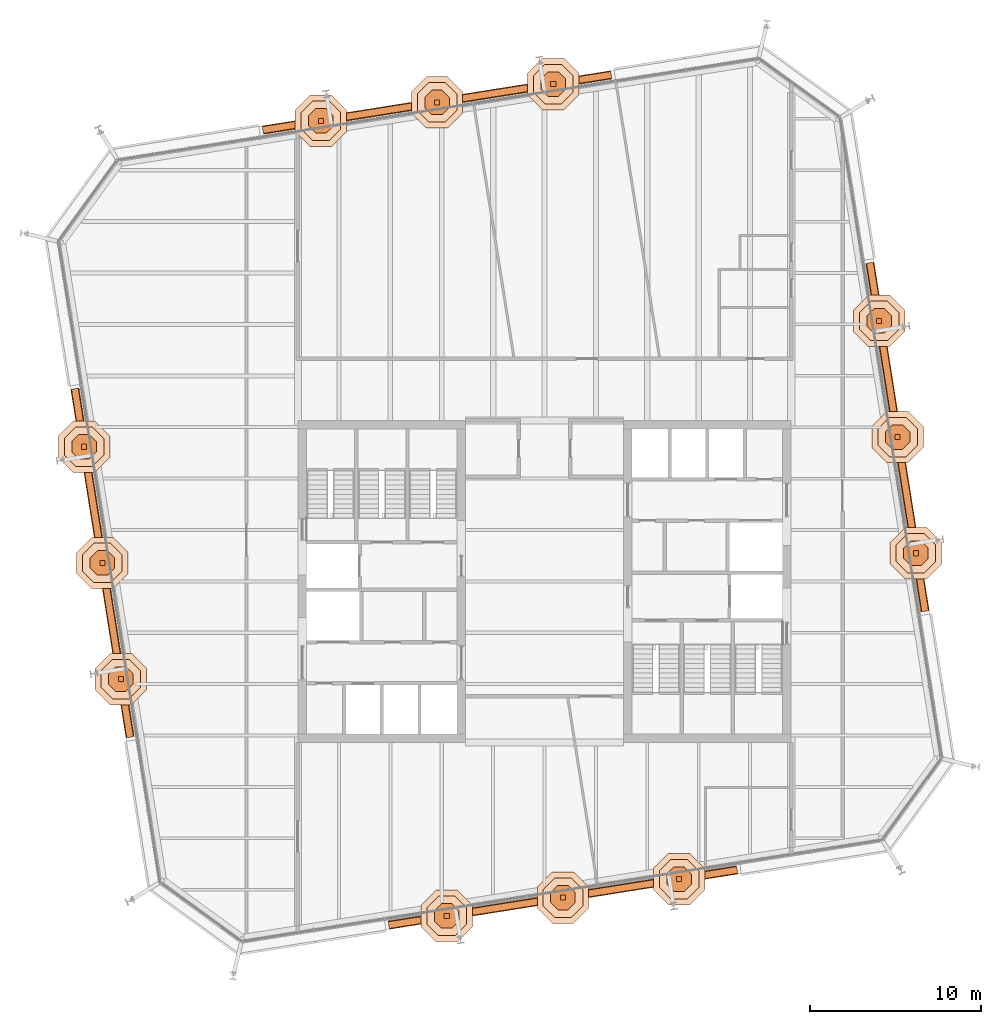
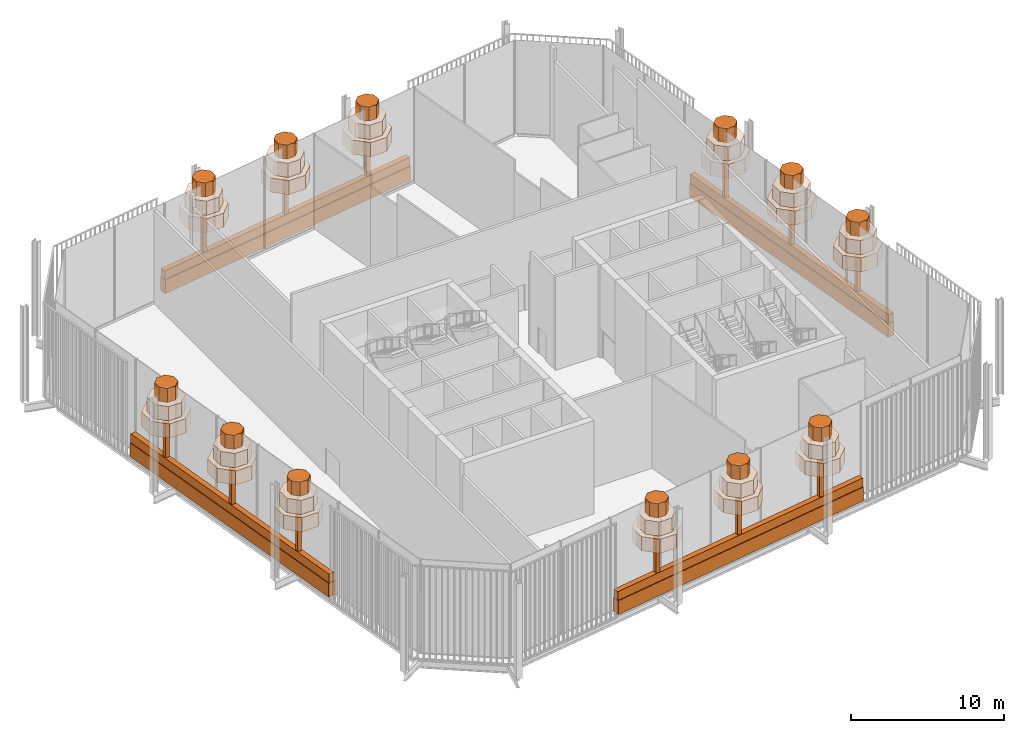
# One storey, part 17 of 17: 56 geographic elements.
"""IFC4 building model written with IfcOpenShell, lengths in metres."""

import ifcopenshell
import ifcopenshell.guid

model = None  # the IFC model being written
_history = None  # IfcOwnerHistory: only IFC2X3 demands one
_inside = {}  # id of a spatial element -> (the spatial element, [elements in it])
_under = {}  # id of a project, library or spatial element -> (it, [spatial elements below it])
_declared = {}  # id of a project -> (the project, [libraries it declares])
_typed = {}  # id of a type object -> (the type object, [elements of that type])
_made_of = {}  # id of a material, layer set ... -> (it, [elements and type objects made of it])


def new_model(schema):
    """Start an empty IFC model of exactly this schema.

    Asked for "IFC4X3", IfcOpenShell would pick the latest addendum, in which some entities
    have other attributes; the version numbers below select the first issue.
    IFC2X3 requires an IfcOwnerHistory on every rooted entity: one is made here for all.
    """
    global model, _history
    if schema == "IFC4X3":
        model = ifcopenshell.file(schema_version=(4, 3, 0, 0))
    else:
        model = ifcopenshell.file(schema=schema)
    _inside.clear()
    _under.clear()
    _declared.clear()
    _typed.clear()
    _made_of.clear()
    _history = None
    if model.schema == "IFC2X3":
        org = make("IfcOrganization", Name="unknown")
        user = make(
            "IfcPersonAndOrganization",
            ThePerson=make("IfcPerson", FamilyName="unknown"),
            TheOrganization=org,
        )
        app = make(
            "IfcApplication",
            ApplicationDeveloper=org,
            Version="unknown",
            ApplicationFullName="unknown",
            ApplicationIdentifier="unknown",
        )
        _history = make(
            "IfcOwnerHistory",
            OwningUser=user,
            OwningApplication=app,
            ChangeAction="ADDED",
            CreationDate=0,
        )
    return model


def make(cls, **values):
    """One entity of the class cls with the attributes given. An attribute that is None is left unset."""
    return model.create_entity(
        cls, **{name: value for name, value in values.items() if value is not None}
    )


def rooted(cls, **values):
    """An entity with a GlobalId (a new one), such as an element, a storey or a relation."""
    return make(cls, GlobalId=ifcopenshell.guid.new(), OwnerHistory=_history, **values)


def si_unit(unit_type, name, prefix=None):
    """IfcSIUnit, for example si_unit("LENGTHUNIT", "METRE", prefix="MILLI")."""
    return make("IfcSIUnit", UnitType=unit_type, Prefix=prefix, Name=name)


def assignment(units):
    """IfcUnitAssignment: the units of a project."""
    return None if units is None else make("IfcUnitAssignment", Units=units)


def point(xyz):
    """IfcCartesianPoint."""
    return None if xyz is None else make("IfcCartesianPoint", Coordinates=xyz)


def direction(xyz):
    """IfcDirection."""
    return None if xyz is None else make("IfcDirection", DirectionRatios=xyz)


def frame(location, z_axis=None, x_axis=None):
    """IfcAxis2Placement3D, a coordinate frame: its origin and axes. An axis left out is left unset."""
    return make(
        "IfcAxis2Placement3D",
        Location=point(location),
        Axis=direction(z_axis),
        RefDirection=direction(x_axis),
    )


def frame_2d(location, x_axis=None):
    """IfcAxis2Placement2D, a coordinate frame in the plane: its origin and x axis."""
    return make(
        "IfcAxis2Placement2D", Location=point(location), RefDirection=direction(x_axis)
    )


def origin():
    """The frame at (0, 0, 0) with its axes left unset."""
    return frame((0.0, 0.0, 0.0))


def origin_2d():
    """The frame at (0, 0) in the plane with its x axis left unset."""
    return frame_2d((0.0, 0.0))


def place(relative_to, where):
    """IfcLocalPlacement: puts the frame where relative to a parent placement (None: the world)."""
    return make(
        "IfcLocalPlacement", PlacementRelTo=relative_to, RelativePlacement=where
    )


def context(
    kind, dimensions, precision=None, world=None, true_north=None, identifier=None
):
    """IfcGeometricRepresentationContext, for example the 3D "Model" context."""
    return make(
        "IfcGeometricRepresentationContext",
        ContextIdentifier=identifier,
        ContextType=kind,
        CoordinateSpaceDimension=dimensions,
        Precision=precision,
        WorldCoordinateSystem=world,
        TrueNorth=true_north,
    )


def subcontext(parent, identifier, kind, view, scale=None):
    """IfcGeometricRepresentationSubContext, for example "Body" below "Model"."""
    return make(
        "IfcGeometricRepresentationSubContext",
        ContextIdentifier=identifier,
        ContextType=kind,
        ParentContext=parent,
        TargetScale=scale,
        TargetView=view,
    )


def project(units=None, contexts=None):
    """IfcProject with its units and contexts."""
    return rooted(
        "IfcProject",
        Name="project",
        RepresentationContexts=contexts,
        UnitsInContext=assignment(units),
    )


def spatial(cls, under=None, at=None, **own):
    """A site, building, storey or space (cls), placed at a placement, below another one or the project."""
    s = rooted(cls, ObjectPlacement=at, **own)
    if under is not None:
        _under.setdefault(under.id(), (under, []))[1].append(s)
    return s


def polyline(points):
    """IfcPolyline through the points."""
    return make("IfcPolyline", Points=[point(p) for p in points])


def profile(cls, at=None, kind="AREA", **sizes):
    """A parametric profile (cls). Its sizes go by their IFC names, for example OverallWidth=200.0."""
    return make(cls, ProfileType=kind, Position=at, **sizes)


def rectangle(**sizes):
    """IfcRectangleProfileDef."""
    return profile("IfcRectangleProfileDef", **sizes)


def outline(outer, holes=None, kind="AREA"):
    """IfcArbitraryClosedProfileDef: a profile drawn as a closed curve; with holes, ...WithVoids."""
    if holes is None:
        return make("IfcArbitraryClosedProfileDef", ProfileType=kind, OuterCurve=outer)
    return make(
        "IfcArbitraryProfileDefWithVoids",
        ProfileType=kind,
        OuterCurve=outer,
        InnerCurves=holes,
    )


def extrude(swept, where, along, depth):
    """IfcExtrudedAreaSolid: the profile swept, set in the frame where, extruded along a direction by depth."""
    return make(
        "IfcExtrudedAreaSolid",
        SweptArea=swept,
        Position=where,
        ExtrudedDirection=direction(along),
        Depth=depth,
    )


def shape(context_of_items, identifier, shape_type, items):
    """IfcShapeRepresentation: the items that make up one representation, for example the "Body"."""
    return make(
        "IfcShapeRepresentation",
        ContextOfItems=context_of_items,
        RepresentationIdentifier=identifier,
        RepresentationType=shape_type,
        Items=items,
    )


def material(Name=None, Category=None):
    """IfcMaterial."""
    return make("IfcMaterial", Name=Name, Category=Category)


def layer(
    of_material, thickness, ventilated=None, Name=None, Category=None, Priority=None
):
    """IfcMaterialLayer: one layer of a wall or slab, of a material (None: an air gap)."""
    return make(
        "IfcMaterialLayer",
        Material=of_material,
        LayerThickness=thickness,
        IsVentilated=ventilated,
        Name=Name,
        Category=Category,
        Priority=Priority,
    )


def layer_set(layers, Name=None):
    """IfcMaterialLayerSet."""
    return make("IfcMaterialLayerSet", MaterialLayers=layers, LayerSetName=Name)


def made_of(thing, what):
    """Note that an element or type object is made of a material, layer set ...; save() writes the relation."""
    if what is not None:
        _made_of.setdefault(what.id(), (what, []))[1].append(thing)
    return thing


def type_object(cls, material=None, **own):
    """A type object (cls), such as IfcWallType, which elements share."""
    return made_of(rooted(cls, **own), material)


def element(
    cls,
    number,
    at=None,
    inside=None,
    cuts=None,
    type_object=None,
    material=None,
    context=None,
    identifier="Body",
    shape_type=None,
    held_by="IfcProductDefinitionShape",
    body=None,
    shapes=None,
    **own,
):
    """One element of the class cls, such as IfcWall. Its Tag is "e" and its number.

    at: its placement. inside: the storey or other place that contains it. cuts: it is an
    opening in that element (IfcRelVoidsElement). A single representation is given by context,
    identifier, shape_type and body (its items); several are given by shapes. held_by: the class
    of the entity that holds the representations. save() writes the other relations.
    """
    e = rooted(cls, Tag="e%d" % number, ObjectPlacement=at, **own)
    if body is not None:
        shapes = [shape(context, identifier, shape_type, body)]
    if shapes is not None:
        e.Representation = make(held_by, Representations=shapes)
    if inside is not None:
        _inside.setdefault(inside.id(), (inside, []))[1].append(e)
    if cuts is not None:
        rooted(
            "IfcRelVoidsElement", RelatingBuildingElement=cuts, RelatedOpeningElement=e
        )
    if type_object is not None:
        _typed.setdefault(type_object.id(), (type_object, []))[1].append(e)
    return made_of(e, material)


def aggregate(whole, parts):
    """IfcRelAggregates: a whole, such as a stair, and the parts it consists of."""
    return rooted("IfcRelAggregates", RelatingObject=whole, RelatedObjects=parts)


def save(model, path):
    """Write the relations noted so far, then the file.

    IfcRelAggregates (storeys below a building ...), IfcRelContainedInSpatialStructure (elements
    in a storey), IfcRelDefinesByType, IfcRelAssociatesMaterial and IfcRelDeclares: one each for
    every whole, place, type object, material and project.
    """
    for whole, parts in _under.values():
        aggregate(whole, parts)
    for where, things in _inside.values():
        rooted(
            "IfcRelContainedInSpatialStructure",
            RelatedElements=things,
            RelatingStructure=where,
        )
    for kind, things in _typed.values():
        rooted("IfcRelDefinesByType", RelatedObjects=things, RelatingType=kind)
    for what, things in _made_of.values():
        rooted("IfcRelAssociatesMaterial", RelatedObjects=things, RelatingMaterial=what)
    for by, libraries in _declared.values():
        rooted("IfcRelDeclares", RelatingContext=by, RelatedDefinitions=libraries)
    model.write(path)


model = new_model("IFC4")

# Units and contexts
model_context = context("Model", 3, precision=1e-05, world=origin(), true_north=direction((0.0, 1.0)))
body_context = subcontext(model_context, "Body", "Model", "MODEL_VIEW")
ifc_project = project(units=[si_unit("LENGTHUNIT", "METRE"), si_unit("AREAUNIT", "SQUARE_METRE"), si_unit("VOLUMEUNIT", "CUBIC_METRE"), si_unit("PLANEANGLEUNIT", "RADIAN"), si_unit("MASSUNIT", "GRAM", prefix="KILO")], contexts=[model_context])

# Site, building, storey
site_placement = place(None, origin())
site = spatial("IfcSite", under=ifc_project, at=site_placement, CompositionType="ELEMENT")
building_placement = place(site_placement, origin())
building = spatial("IfcBuilding", under=site, at=building_placement, Name="Millrace Tower", CompositionType="ELEMENT")
storey_placement = place(building_placement, frame((0.0, 0.0, 239.800048828125)))
storey = spatial("IfcBuildingStorey", under=building, at=storey_placement, Name="L55", CompositionType="ELEMENT", Elevation=239.800048828125)

# Geographic elements
ifc_material_1 = material(Name="Concrete C40", Category="concrete")
ifc_layer = layer(ifc_material_1, 0.5)
ifc_layer_set = layer_set([ifc_layer], Name="Concrete C40")
geographic_element_type_1 = type_object("IfcGeographicElementType", Name="PLANTER sky garden bed 1100 high x 500 thick", PredefinedType="USERDEFINED", material=ifc_layer_set)
for number, where, z_axis, x_axis, name in (
    (1, (1.076171875, -18.460693359375, 0.14990234375), (0.0, 0.0, 1.0), (0.987688339511, 0.156434471884, 0.0), "Planter sky garden D-F02 L55"),
    (2, (20.610595703125, 8.42626953125, 0.14990234375), (0.0, 0.0, 1.0), (-0.156434471884, 0.987688339511, 0.0), "Planter sky garden D-F04 L55"),
    (3, (-6.276123046875, 27.960693359375, 0.14990234375), (0.0, 0.0, 1.0), (-0.987688339511, -0.156434471884, 0.0), "Planter sky garden D-F06 L55"),
    (4, (-25.810791015625, 1.07373046875, 0.14990234375), (0.0, 0.0, 1.0), (0.156434471884, -0.987688339511, 0.0), "Planter sky garden D-F08 L55"),
):
    element("IfcGeographicElement", number, at=place(storey_placement, frame(where, z_axis=z_axis, x_axis=x_axis)), inside=storey, type_object=geographic_element_type_1, Name=name, ObjectType="PLANTER", PredefinedType="USERDEFINED", context=body_context, shape_type="SweptSolid", body=[
        extrude(rectangle(XDim=20.60009765625, YDim=0.5, at=origin_2d()), origin(), (0.0, 0.0, 1.0), 1.10009765625),
    ])
ifc_material_2 = material(Name="Planting shrub bed")
geographic_element_type_2 = type_object("IfcGeographicElementType", Name="Shrub bed", PredefinedType="USERDEFINED", material=ifc_material_2)
for number, where, z_axis, x_axis, name in (
    (5, (1.076171875, -18.460693359375, 1.25), (0.0, 0.0, 1.0), (0.987688339511, 0.156434471884, 0.0), "Shrub bed D-F02-L55-840"),
    (6, (20.610595703125, 8.42626953125, 1.25), (0.0, 0.0, 1.0), (-0.156434471884, 0.987688339511, 0.0), "Shrub bed D-F04-L55-840"),
    (7, (-6.276123046875, 27.960693359375, 1.25), (0.0, 0.0, 1.0), (-0.987688339511, -0.156434471884, 0.0), "Shrub bed D-F06-L55-840"),
    (8, (-25.810791015625, 1.07373046875, 1.25), (0.0, 0.0, 1.0), (0.156434471884, -0.987688339511, 0.0), "Shrub bed D-F08-L55-840"),
):
    element("IfcGeographicElement", number, at=place(storey_placement, frame(where, z_axis=z_axis, x_axis=x_axis)), inside=storey, type_object=geographic_element_type_2, Name=name, ObjectType="SHRUB", PredefinedType="USERDEFINED", context=body_context, shape_type="SweptSolid", body=[
        extrude(rectangle(XDim=20.60009765625, YDim=0.39990234375, at=origin_2d()), origin(), (0.0, 0.0, 1.0), 0.699951171875),
    ])
ifc_material_3 = material(Name="Planting tree crown")
geographic_element_type_3 = type_object("IfcGeographicElementType", Name="Tree crown", PredefinedType="USERDEFINED", material=ifc_material_3)
placement_1 = place(storey_placement, frame((0.0, 0.0, 4.5)))
element("IfcGeographicElement", 9, at=placement_1, inside=storey, type_object=geographic_element_type_3, Name="Tree crown D-F02-L55-840-0 tier 1", ObjectType="TREE", PredefinedType="USERDEFINED", context=body_context, shape_type="SweptSolid", body=[
    extrude(outline(polyline([(-4.20458984375, -18.9130859375), (-5.083984375, -18.03369140625), (-6.327880859375, -18.03369140625), (-7.207275390625, -18.9130859375), (-7.207275390625, -20.15673828125), (-6.327880859375, -21.0361328125), (-5.083984375, -21.0361328125), (-4.20458984375, -20.15673828125), (-4.20458984375, -18.9130859375)])), origin(), (0.0, 0.0, 1.0), 1.125),
])
placement_2 = place(storey_placement, frame((0.0, 0.0, 5.625)))
element("IfcGeographicElement", 10, at=placement_2, inside=storey, type_object=geographic_element_type_3, Name="Tree crown D-F02-L55-840-0 tier 2", ObjectType="TREE", PredefinedType="USERDEFINED", context=body_context, shape_type="SweptSolid", body=[
    extrude(outline(polyline([(-4.551025390625, -19.056396484375), (-5.2275390625, -18.3798828125), (-6.184326171875, -18.3798828125), (-6.86083984375, -19.056396484375), (-6.86083984375, -20.01318359375), (-6.184326171875, -20.689697265625), (-5.2275390625, -20.689697265625), (-4.551025390625, -20.01318359375), (-4.551025390625, -19.056396484375)])), origin(), (0.0, 0.0, 1.0), 1.125),
])
placement_3 = place(storey_placement, frame((0.0, 0.0, 6.75)))
element("IfcGeographicElement", 11, at=placement_3, inside=storey, type_object=geographic_element_type_3, Name="Tree crown D-F02-L55-840-0 tier 3", ObjectType="TREE", PredefinedType="USERDEFINED", context=body_context, shape_type="SweptSolid", body=[
    extrude(outline(polyline([(-4.989990234375, -19.23828125), (-5.4091796875, -18.81884765625), (-6.00244140625, -18.81884765625), (-6.421875, -19.23828125), (-6.421875, -19.831298828125), (-6.00244140625, -20.2509765625), (-5.4091796875, -20.2509765625), (-4.989990234375, -19.831298828125), (-4.989990234375, -19.23828125)])), origin(), (0.0, 0.0, 1.0), 1.125),
])
element("IfcGeographicElement", 12, at=placement_1, inside=storey, type_object=geographic_element_type_3, Name="Tree crown D-F02-L55-840-1 tier 1", ObjectType="TREE", PredefinedType="USERDEFINED", context=body_context, shape_type="SweptSolid", body=[
    extrude(outline(polyline([(2.577392578125, -17.8388671875), (1.697998046875, -16.95947265625), (0.454345703125, -16.95947265625), (-0.425048828125, -17.8388671875), (-0.425048828125, -19.08251953125), (0.454345703125, -19.9619140625), (1.697998046875, -19.9619140625), (2.577392578125, -19.08251953125), (2.577392578125, -17.8388671875)])), origin(), (0.0, 0.0, 1.0), 1.125),
])
element("IfcGeographicElement", 13, at=placement_2, inside=storey, type_object=geographic_element_type_3, Name="Tree crown D-F02-L55-840-1 tier 2", ObjectType="TREE", PredefinedType="USERDEFINED", context=body_context, shape_type="SweptSolid", body=[
    extrude(outline(polyline([(2.231201171875, -17.982421875), (1.5546875, -17.305908203125), (0.597900390625, -17.305908203125), (-0.07861328125, -17.982421875), (-0.07861328125, -18.93896484375), (0.597900390625, -19.615478515625), (1.5546875, -19.615478515625), (2.231201171875, -18.93896484375), (2.231201171875, -17.982421875)])), origin(), (0.0, 0.0, 1.0), 1.125),
])
element("IfcGeographicElement", 14, at=placement_3, inside=storey, type_object=geographic_element_type_3, Name="Tree crown D-F02-L55-840-1 tier 3", ObjectType="TREE", PredefinedType="USERDEFINED", context=body_context, shape_type="SweptSolid", body=[
    extrude(outline(polyline([(1.792236328125, -18.1640625), (1.372802734375, -17.74462890625), (0.779541015625, -17.74462890625), (0.360107421875, -18.1640625), (0.360107421875, -18.75732421875), (0.779541015625, -19.1767578125), (1.372802734375, -19.1767578125), (1.792236328125, -18.75732421875), (1.792236328125, -18.1640625)])), origin(), (0.0, 0.0, 1.0), 1.125),
])
element("IfcGeographicElement", 15, at=placement_1, inside=storey, type_object=geographic_element_type_3, Name="Tree crown D-F02-L55-840-2 tier 1", ObjectType="TREE", PredefinedType="USERDEFINED", context=body_context, shape_type="SweptSolid", body=[
    extrude(outline(polyline([(9.359619140625, -16.7646484375), (8.480224609375, -15.88525390625), (7.236572265625, -15.88525390625), (6.35693359375, -16.7646484375), (6.35693359375, -18.00830078125), (7.236572265625, -18.8876953125), (8.480224609375, -18.8876953125), (9.359619140625, -18.00830078125), (9.359619140625, -16.7646484375)])), origin(), (0.0, 0.0, 1.0), 1.125),
])
element("IfcGeographicElement", 16, at=placement_2, inside=storey, type_object=geographic_element_type_3, Name="Tree crown D-F02-L55-840-2 tier 2", ObjectType="TREE", PredefinedType="USERDEFINED", context=body_context, shape_type="SweptSolid", body=[
    extrude(outline(polyline([(9.01318359375, -16.908203125), (8.336669921875, -16.231689453125), (7.3798828125, -16.231689453125), (6.70361328125, -16.908203125), (6.70361328125, -17.86474609375), (7.3798828125, -18.541259765625), (8.336669921875, -18.541259765625), (9.01318359375, -17.86474609375), (9.01318359375, -16.908203125)])), origin(), (0.0, 0.0, 1.0), 1.125),
])
element("IfcGeographicElement", 17, at=placement_3, inside=storey, type_object=geographic_element_type_3, Name="Tree crown D-F02-L55-840-2 tier 3", ObjectType="TREE", PredefinedType="USERDEFINED", context=body_context, shape_type="SweptSolid", body=[
    extrude(outline(polyline([(8.57421875, -17.08984375), (8.15478515625, -16.67041015625), (7.561767578125, -16.67041015625), (7.142333984375, -17.08984375), (7.142333984375, -17.68310546875), (7.561767578125, -18.1025390625), (8.15478515625, -18.1025390625), (8.57421875, -17.68310546875), (8.57421875, -17.08984375)])), origin(), (0.0, 0.0, 1.0), 1.125),
])
element("IfcGeographicElement", 18, at=placement_1, inside=storey, type_object=geographic_element_type_3, Name="Tree crown D-F04-L55-840-0 tier 1", ObjectType="TREE", PredefinedType="USERDEFINED", context=body_context, shape_type="SweptSolid", body=[
    extrude(outline(polyline([(23.186279296875, 2.265869140625), (22.306640625, 3.1455078125), (21.06298828125, 3.1455078125), (20.18359375, 2.265869140625), (20.18359375, 1.022216796875), (21.06298828125, 0.142822265625), (22.306640625, 0.142822265625), (23.186279296875, 1.022216796875), (23.186279296875, 2.265869140625)])), origin(), (0.0, 0.0, 1.0), 1.125),
])
element("IfcGeographicElement", 19, at=placement_2, inside=storey, type_object=geographic_element_type_3, Name="Tree crown D-F04-L55-840-0 tier 2", ObjectType="TREE", PredefinedType="USERDEFINED", context=body_context, shape_type="SweptSolid", body=[
    extrude(outline(polyline([(22.839599609375, 2.122314453125), (22.1630859375, 2.798828125), (21.20654296875, 2.798828125), (20.530029296875, 2.122314453125), (20.530029296875, 1.165771484375), (21.20654296875, 0.4892578125), (22.1630859375, 0.4892578125), (22.839599609375, 1.165771484375), (22.839599609375, 2.122314453125)])), origin(), (0.0, 0.0, 1.0), 1.125),
])
element("IfcGeographicElement", 20, at=placement_3, inside=storey, type_object=geographic_element_type_3, Name="Tree crown D-F04-L55-840-0 tier 3", ObjectType="TREE", PredefinedType="USERDEFINED", context=body_context, shape_type="SweptSolid", body=[
    extrude(outline(polyline([(22.40087890625, 1.940673828125), (21.9814453125, 2.360107421875), (21.38818359375, 2.360107421875), (20.968994140625, 1.940673828125), (20.968994140625, 1.347412109375), (21.38818359375, 0.927978515625), (21.9814453125, 0.927978515625), (22.40087890625, 1.347412109375), (22.40087890625, 1.940673828125)])), origin(), (0.0, 0.0, 1.0), 1.125),
])
element("IfcGeographicElement", 21, at=placement_1, inside=storey, type_object=geographic_element_type_3, Name="Tree crown D-F04-L55-840-1 tier 1", ObjectType="TREE", PredefinedType="USERDEFINED", context=body_context, shape_type="SweptSolid", body=[
    extrude(outline(polyline([(22.112060546875, 9.048095703125), (21.232421875, 9.927490234375), (19.98876953125, 9.927490234375), (19.109375, 9.048095703125), (19.109375, 7.80419921875), (19.98876953125, 6.9248046875), (21.232421875, 6.9248046875), (22.112060546875, 7.80419921875), (22.112060546875, 9.048095703125)])), origin(), (0.0, 0.0, 1.0), 1.125),
])
element("IfcGeographicElement", 22, at=placement_2, inside=storey, type_object=geographic_element_type_3, Name="Tree crown D-F04-L55-840-1 tier 2", ObjectType="TREE", PredefinedType="USERDEFINED", context=body_context, shape_type="SweptSolid", body=[
    extrude(outline(polyline([(21.765380859375, 8.904541015625), (21.089111328125, 9.5810546875), (20.13232421875, 9.5810546875), (19.455810546875, 8.904541015625), (19.455810546875, 7.947998046875), (20.13232421875, 7.271484375), (21.089111328125, 7.271484375), (21.765380859375, 7.947998046875), (21.765380859375, 8.904541015625)])), origin(), (0.0, 0.0, 1.0), 1.125),
])
element("IfcGeographicElement", 23, at=placement_3, inside=storey, type_object=geographic_element_type_3, Name="Tree crown D-F04-L55-840-1 tier 3", ObjectType="TREE", PredefinedType="USERDEFINED", context=body_context, shape_type="SweptSolid", body=[
    extrude(outline(polyline([(21.32666015625, 8.722900390625), (20.9072265625, 9.14208984375), (20.314208984375, 9.14208984375), (19.894775390625, 8.722900390625), (19.894775390625, 8.129638671875), (20.314208984375, 7.710205078125), (20.9072265625, 7.710205078125), (21.32666015625, 8.129638671875), (21.32666015625, 8.722900390625)])), origin(), (0.0, 0.0, 1.0), 1.125),
])
element("IfcGeographicElement", 24, at=placement_1, inside=storey, type_object=geographic_element_type_3, Name="Tree crown D-F04-L55-840-2 tier 1", ObjectType="TREE", PredefinedType="USERDEFINED", context=body_context, shape_type="SweptSolid", body=[
    extrude(outline(polyline([(21.037841796875, 15.830078125), (20.158447265625, 16.709716796875), (18.91455078125, 16.709716796875), (18.03515625, 15.830078125), (18.03515625, 14.58642578125), (18.91455078125, 13.70703125), (20.158447265625, 13.70703125), (21.037841796875, 14.58642578125), (21.037841796875, 15.830078125)])), origin(), (0.0, 0.0, 1.0), 1.125),
])
element("IfcGeographicElement", 25, at=placement_2, inside=storey, type_object=geographic_element_type_3, Name="Tree crown D-F04-L55-840-2 tier 2", ObjectType="TREE", PredefinedType="USERDEFINED", context=body_context, shape_type="SweptSolid", body=[
    extrude(outline(polyline([(20.69140625, 15.686767578125), (20.014892578125, 16.36328125), (19.05810546875, 16.36328125), (18.381591796875, 15.686767578125), (18.381591796875, 14.72998046875), (19.05810546875, 14.053466796875), (20.014892578125, 14.053466796875), (20.69140625, 14.72998046875), (20.69140625, 15.686767578125)])), origin(), (0.0, 0.0, 1.0), 1.125),
])
element("IfcGeographicElement", 26, at=placement_3, inside=storey, type_object=geographic_element_type_3, Name="Tree crown D-F04-L55-840-2 tier 3", ObjectType="TREE", PredefinedType="USERDEFINED", context=body_context, shape_type="SweptSolid", body=[
    extrude(outline(polyline([(20.25244140625, 15.5048828125), (19.8330078125, 15.92431640625), (19.239990234375, 15.92431640625), (18.820556640625, 15.5048828125), (18.820556640625, 14.911865234375), (19.239990234375, 14.4921875), (19.8330078125, 14.4921875), (20.25244140625, 14.911865234375), (20.25244140625, 15.5048828125)])), origin(), (0.0, 0.0, 1.0), 1.125),
])
element("IfcGeographicElement", 27, at=placement_1, inside=storey, type_object=geographic_element_type_3, Name="Tree crown D-F06-L55-840-0 tier 1", ObjectType="TREE", PredefinedType="USERDEFINED", context=body_context, shape_type="SweptSolid", body=[
    extrude(outline(polyline([(2.007080078125, 29.65673828125), (1.127685546875, 30.5361328125), (-0.115966796875, 30.5361328125), (-0.995361328125, 29.65673828125), (-0.995361328125, 28.4130859375), (-0.115966796875, 27.53369140625), (1.127685546875, 27.53369140625), (2.007080078125, 28.4130859375), (2.007080078125, 29.65673828125)])), origin(), (0.0, 0.0, 1.0), 1.125),
])
element("IfcGeographicElement", 28, at=placement_2, inside=storey, type_object=geographic_element_type_3, Name="Tree crown D-F06-L55-840-0 tier 2", ObjectType="TREE", PredefinedType="USERDEFINED", context=body_context, shape_type="SweptSolid", body=[
    extrude(outline(polyline([(1.660888671875, 29.51318359375), (0.984375, 30.189697265625), (0.027587890625, 30.189697265625), (-0.64892578125, 29.51318359375), (-0.64892578125, 28.556396484375), (0.027587890625, 27.8798828125), (0.984375, 27.8798828125), (1.660888671875, 28.556396484375), (1.660888671875, 29.51318359375)])), origin(), (0.0, 0.0, 1.0), 1.125),
])
element("IfcGeographicElement", 29, at=placement_3, inside=storey, type_object=geographic_element_type_3, Name="Tree crown D-F06-L55-840-0 tier 3", ObjectType="TREE", PredefinedType="USERDEFINED", context=body_context, shape_type="SweptSolid", body=[
    extrude(outline(polyline([(1.221923828125, 29.331298828125), (0.802490234375, 29.7509765625), (0.209228515625, 29.7509765625), (-0.210205078125, 29.331298828125), (-0.210205078125, 28.73828125), (0.209228515625, 28.31884765625), (0.802490234375, 28.31884765625), (1.221923828125, 28.73828125), (1.221923828125, 29.331298828125)])), origin(), (0.0, 0.0, 1.0), 1.125),
])
element("IfcGeographicElement", 30, at=placement_1, inside=storey, type_object=geographic_element_type_3, Name="Tree crown D-F06-L55-840-1 tier 1", ObjectType="TREE", PredefinedType="USERDEFINED", context=body_context, shape_type="SweptSolid", body=[
    extrude(outline(polyline([(-4.77490234375, 28.58251953125), (-5.654296875, 29.4619140625), (-6.898193359375, 29.4619140625), (-7.777587890625, 28.58251953125), (-7.777587890625, 27.3388671875), (-6.898193359375, 26.45947265625), (-5.654296875, 26.45947265625), (-4.77490234375, 27.3388671875), (-4.77490234375, 28.58251953125)])), origin(), (0.0, 0.0, 1.0), 1.125),
])
element("IfcGeographicElement", 31, at=placement_2, inside=storey, type_object=geographic_element_type_3, Name="Tree crown D-F06-L55-840-1 tier 2", ObjectType="TREE", PredefinedType="USERDEFINED", context=body_context, shape_type="SweptSolid", body=[
    extrude(outline(polyline([(-5.121337890625, 28.43896484375), (-5.7978515625, 29.115478515625), (-6.754638671875, 29.115478515625), (-7.43115234375, 28.43896484375), (-7.43115234375, 27.482421875), (-6.754638671875, 26.805908203125), (-5.7978515625, 26.805908203125), (-5.121337890625, 27.482421875), (-5.121337890625, 28.43896484375)])), origin(), (0.0, 0.0, 1.0), 1.125),
])
element("IfcGeographicElement", 32, at=placement_3, inside=storey, type_object=geographic_element_type_3, Name="Tree crown D-F06-L55-840-1 tier 3", ObjectType="TREE", PredefinedType="USERDEFINED", context=body_context, shape_type="SweptSolid", body=[
    extrude(outline(polyline([(-5.560302734375, 28.25732421875), (-5.9794921875, 28.6767578125), (-6.57275390625, 28.6767578125), (-6.9921875, 28.25732421875), (-6.9921875, 27.6640625), (-6.57275390625, 27.24462890625), (-5.9794921875, 27.24462890625), (-5.560302734375, 27.6640625), (-5.560302734375, 28.25732421875)])), origin(), (0.0, 0.0, 1.0), 1.125),
])
element("IfcGeographicElement", 33, at=placement_1, inside=storey, type_object=geographic_element_type_3, Name="Tree crown D-F06-L55-840-2 tier 1", ObjectType="TREE", PredefinedType="USERDEFINED", context=body_context, shape_type="SweptSolid", body=[
    extrude(outline(polyline([(-11.556884765625, 27.50830078125), (-12.4365234375, 28.3876953125), (-13.68017578125, 28.3876953125), (-14.5595703125, 27.50830078125), (-14.5595703125, 26.2646484375), (-13.68017578125, 25.38525390625), (-12.4365234375, 25.38525390625), (-11.556884765625, 26.2646484375), (-11.556884765625, 27.50830078125)])), origin(), (0.0, 0.0, 1.0), 1.125),
])
element("IfcGeographicElement", 34, at=placement_2, inside=storey, type_object=geographic_element_type_3, Name="Tree crown D-F06-L55-840-2 tier 2", ObjectType="TREE", PredefinedType="USERDEFINED", context=body_context, shape_type="SweptSolid", body=[
    extrude(outline(polyline([(-11.903564453125, 27.36474609375), (-12.580078125, 28.041259765625), (-13.53662109375, 28.041259765625), (-14.213134765625, 27.36474609375), (-14.213134765625, 26.408203125), (-13.53662109375, 25.731689453125), (-12.580078125, 25.731689453125), (-11.903564453125, 26.408203125), (-11.903564453125, 27.36474609375)])), origin(), (0.0, 0.0, 1.0), 1.125),
])
element("IfcGeographicElement", 35, at=placement_3, inside=storey, type_object=geographic_element_type_3, Name="Tree crown D-F06-L55-840-2 tier 3", ObjectType="TREE", PredefinedType="USERDEFINED", context=body_context, shape_type="SweptSolid", body=[
    extrude(outline(polyline([(-12.34228515625, 27.18310546875), (-12.76171875, 27.6025390625), (-13.35498046875, 27.6025390625), (-13.7744140625, 27.18310546875), (-13.7744140625, 26.58984375), (-13.35498046875, 26.17041015625), (-12.76171875, 26.17041015625), (-12.34228515625, 26.58984375), (-12.34228515625, 27.18310546875)])), origin(), (0.0, 0.0, 1.0), 1.125),
])
element("IfcGeographicElement", 36, at=placement_1, inside=storey, type_object=geographic_element_type_3, Name="Tree crown D-F08-L55-840-0 tier 1", ObjectType="TREE", PredefinedType="USERDEFINED", context=body_context, shape_type="SweptSolid", body=[
    extrude(outline(polyline([(-25.383544921875, 8.477783203125), (-26.262939453125, 9.357177734375), (-27.506591796875, 9.357177734375), (-28.38623046875, 8.477783203125), (-28.38623046875, 7.234130859375), (-27.506591796875, 6.3544921875), (-26.262939453125, 6.3544921875), (-25.383544921875, 7.234130859375), (-25.383544921875, 8.477783203125)])), origin(), (0.0, 0.0, 1.0), 1.125),
])
element("IfcGeographicElement", 37, at=placement_2, inside=storey, type_object=geographic_element_type_3, Name="Tree crown D-F08-L55-840-0 tier 2", ObjectType="TREE", PredefinedType="USERDEFINED", context=body_context, shape_type="SweptSolid", body=[
    extrude(outline(polyline([(-25.72998046875, 8.334228515625), (-26.406494140625, 9.0107421875), (-27.36328125, 9.0107421875), (-28.039794921875, 8.334228515625), (-28.039794921875, 7.377685546875), (-27.36328125, 6.701171875), (-26.406494140625, 6.701171875), (-25.72998046875, 7.377685546875), (-25.72998046875, 8.334228515625)])), origin(), (0.0, 0.0, 1.0), 1.125),
])
element("IfcGeographicElement", 38, at=placement_3, inside=storey, type_object=geographic_element_type_3, Name="Tree crown D-F08-L55-840-0 tier 3", ObjectType="TREE", PredefinedType="USERDEFINED", context=body_context, shape_type="SweptSolid", body=[
    extrude(outline(polyline([(-26.1689453125, 8.152587890625), (-26.58837890625, 8.572021484375), (-27.181396484375, 8.572021484375), (-27.600830078125, 8.152587890625), (-27.600830078125, 7.559326171875), (-27.181396484375, 7.139892578125), (-26.58837890625, 7.139892578125), (-26.1689453125, 7.559326171875), (-26.1689453125, 8.152587890625)])), origin(), (0.0, 0.0, 1.0), 1.125),
])
element("IfcGeographicElement", 39, at=placement_1, inside=storey, type_object=geographic_element_type_3, Name="Tree crown D-F08-L55-840-1 tier 1", ObjectType="TREE", PredefinedType="USERDEFINED", context=body_context, shape_type="SweptSolid", body=[
    extrude(outline(polyline([(-24.309326171875, 1.69580078125), (-25.188720703125, 2.5751953125), (-26.4326171875, 2.5751953125), (-27.31201171875, 1.69580078125), (-27.31201171875, 0.451904296875), (-26.4326171875, -0.427490234375), (-25.188720703125, -0.427490234375), (-24.309326171875, 0.451904296875), (-24.309326171875, 1.69580078125)])), origin(), (0.0, 0.0, 1.0), 1.125),
])
element("IfcGeographicElement", 40, at=placement_2, inside=storey, type_object=geographic_element_type_3, Name="Tree crown D-F08-L55-840-1 tier 2", ObjectType="TREE", PredefinedType="USERDEFINED", context=body_context, shape_type="SweptSolid", body=[
    extrude(outline(polyline([(-24.65576171875, 1.552001953125), (-25.332275390625, 2.228515625), (-26.2890625, 2.228515625), (-26.965576171875, 1.552001953125), (-26.965576171875, 0.595458984375), (-26.2890625, -0.0810546875), (-25.332275390625, -0.0810546875), (-24.65576171875, 0.595458984375), (-24.65576171875, 1.552001953125)])), origin(), (0.0, 0.0, 1.0), 1.125),
])
element("IfcGeographicElement", 41, at=placement_3, inside=storey, type_object=geographic_element_type_3, Name="Tree crown D-F08-L55-840-1 tier 3", ObjectType="TREE", PredefinedType="USERDEFINED", context=body_context, shape_type="SweptSolid", body=[
    extrude(outline(polyline([(-25.0947265625, 1.370361328125), (-25.51416015625, 1.789794921875), (-26.107421875, 1.789794921875), (-26.526611328125, 1.370361328125), (-26.526611328125, 0.777099609375), (-26.107421875, 0.35791015625), (-25.51416015625, 0.35791015625), (-25.0947265625, 0.777099609375), (-25.0947265625, 1.370361328125)])), origin(), (0.0, 0.0, 1.0), 1.125),
])
element("IfcGeographicElement", 42, at=placement_1, inside=storey, type_object=geographic_element_type_3, Name="Tree crown D-F08-L55-840-2 tier 1", ObjectType="TREE", PredefinedType="USERDEFINED", context=body_context, shape_type="SweptSolid", body=[
    extrude(outline(polyline([(-23.235107421875, -5.08642578125), (-24.114501953125, -4.20703125), (-25.3583984375, -4.20703125), (-26.23779296875, -5.08642578125), (-26.23779296875, -6.330078125), (-25.3583984375, -7.209716796875), (-24.114501953125, -7.209716796875), (-23.235107421875, -6.330078125), (-23.235107421875, -5.08642578125)])), origin(), (0.0, 0.0, 1.0), 1.125),
])
element("IfcGeographicElement", 43, at=placement_2, inside=storey, type_object=geographic_element_type_3, Name="Tree crown D-F08-L55-840-2 tier 2", ObjectType="TREE", PredefinedType="USERDEFINED", context=body_context, shape_type="SweptSolid", body=[
    extrude(outline(polyline([(-23.58154296875, -5.22998046875), (-24.258056640625, -4.553466796875), (-25.21484375, -4.553466796875), (-25.891357421875, -5.22998046875), (-25.891357421875, -6.186767578125), (-25.21484375, -6.86328125), (-24.258056640625, -6.86328125), (-23.58154296875, -6.186767578125), (-23.58154296875, -5.22998046875)])), origin(), (0.0, 0.0, 1.0), 1.125),
])
element("IfcGeographicElement", 44, at=placement_3, inside=storey, type_object=geographic_element_type_3, Name="Tree crown D-F08-L55-840-2 tier 3", ObjectType="TREE", PredefinedType="USERDEFINED", context=body_context, shape_type="SweptSolid", body=[
    extrude(outline(polyline([(-24.0205078125, -5.411865234375), (-24.43994140625, -4.9921875), (-25.033203125, -4.9921875), (-25.452392578125, -5.411865234375), (-25.452392578125, -6.0048828125), (-25.033203125, -6.42431640625), (-24.43994140625, -6.42431640625), (-24.0205078125, -6.0048828125), (-24.0205078125, -5.411865234375)])), origin(), (0.0, 0.0, 1.0), 1.125),
])
ifc_material_4 = material(Name="Timber trunk", Category="wood")
geographic_element_type_4 = type_object("IfcGeographicElementType", Name="Tree trunk", PredefinedType="USERDEFINED", material=ifc_material_4)
for number, where, z_axis, x_axis, name in (
    (45, (-5.705810546875, -19.534912109375, 1.949951171875), (0.0, 0.0, 1.0), (1.0, 0.0, 0.0), "Tree trunk D-F02-L55-840-0"),
    (46, (1.076171875, -18.460693359375, 1.949951171875), (0.0, 0.0, 1.0), (1.0, 0.0, 0.0), "Tree trunk D-F02-L55-840-1"),
    (47, (7.8583984375, -17.386474609375, 1.949951171875), (0.0, 0.0, 1.0), (1.0, 0.0, 0.0), "Tree trunk D-F02-L55-840-2"),
    (48, (21.684814453125, 1.64404296875, 1.949951171875), (0.0, 0.0, 1.0), (1.0, 0.0, 0.0), "Tree trunk D-F04-L55-840-0"),
    (49, (20.610595703125, 8.42626953125, 1.949951171875), (0.0, 0.0, 1.0), (1.0, 0.0, 0.0), "Tree trunk D-F04-L55-840-1"),
    (50, (19.536376953125, 15.208251953125, 1.949951171875), (0.0, 0.0, 1.0), (1.0, 0.0, 0.0), "Tree trunk D-F04-L55-840-2"),
    (51, (0.505859375, 29.034912109375, 1.949951171875), (0.0, 0.0, 1.0), (1.0, 0.0, 0.0), "Tree trunk D-F06-L55-840-0"),
    (52, (-6.276123046875, 27.960693359375, 1.949951171875), (0.0, 0.0, 1.0), (1.0, 0.0, 0.0), "Tree trunk D-F06-L55-840-1"),
    (53, (-13.058349609375, 26.886474609375, 1.949951171875), (0.0, 0.0, 1.0), (1.0, 0.0, 0.0), "Tree trunk D-F06-L55-840-2"),
    (54, (-26.884765625, 7.85595703125, 1.949951171875), (0.0, 0.0, 1.0), (1.0, 0.0, 0.0), "Tree trunk D-F08-L55-840-0"),
    (55, (-25.810791015625, 1.07373046875, 1.949951171875), (0.0, 0.0, 1.0), (1.0, 0.0, 0.0), "Tree trunk D-F08-L55-840-1"),
    (56, (-24.736572265625, -5.708251953125, 1.949951171875), (0.0, 0.0, 1.0), (1.0, 0.0, 0.0), "Tree trunk D-F08-L55-840-2"),
):
    element("IfcGeographicElement", number, at=place(storey_placement, frame(where, z_axis=z_axis, x_axis=x_axis)), inside=storey, type_object=geographic_element_type_4, Name=name, ObjectType="TREE", PredefinedType="USERDEFINED", context=body_context, shape_type="SweptSolid", body=[
        extrude(rectangle(XDim=0.300048828125, YDim=0.300048828125, at=origin_2d()), origin(), (0.0, 0.0, 1.0), 2.75),
    ])

save(model, "model.ifc")
